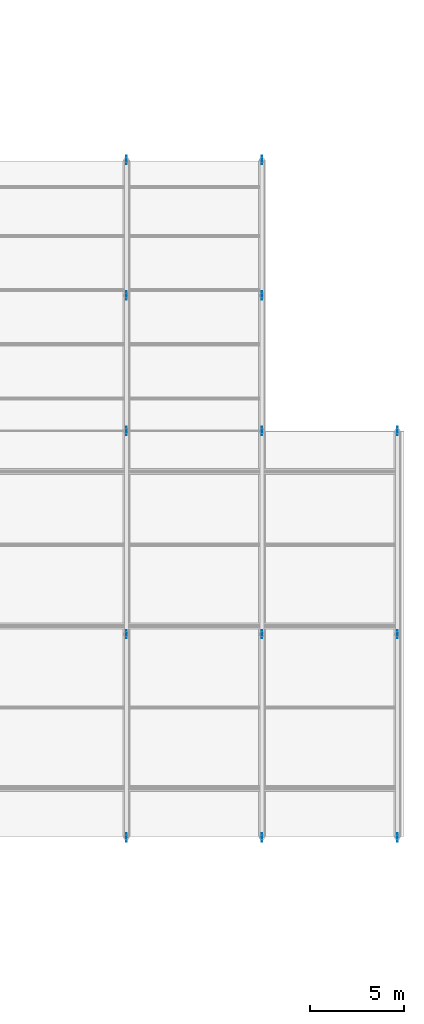
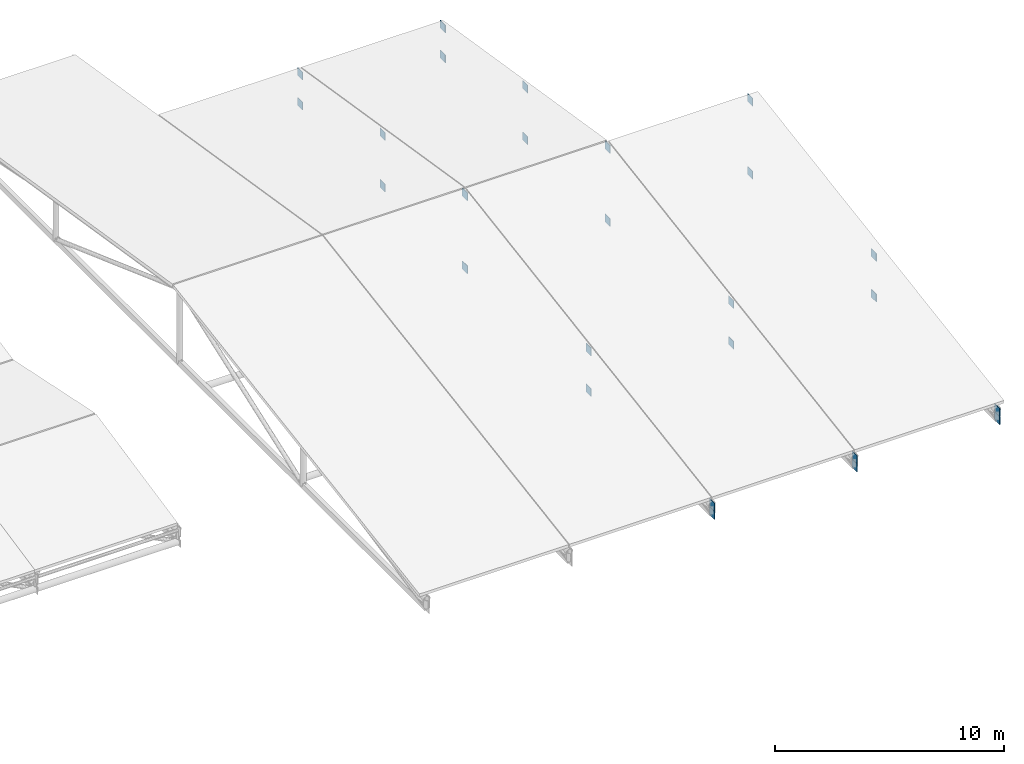
# One storey, part 72 of 72: 26 plates.
"""IFC4 building model written with IfcOpenShell, lengths in metres."""

from ifc_helpers import new_model, si_unit, direction, frame, origin, origin_2d, place, context, subcontext, project, spatial, rectangle, extrude, material, layer, layer_set, type_object, element, save


model = new_model("IFC4")

# Units and contexts
model_context = context("Model", 3, precision=1e-05, world=origin(), true_north=direction((0.0, 1.0)))
body_context = subcontext(model_context, "Body", "Model", "MODEL_VIEW")
ifc_project = project(units=[si_unit("LENGTHUNIT", "METRE"), si_unit("AREAUNIT", "SQUARE_METRE"), si_unit("VOLUMEUNIT", "CUBIC_METRE"), si_unit("PLANEANGLEUNIT", "RADIAN"), si_unit("MASSUNIT", "GRAM", prefix="KILO")], contexts=[model_context])

# Site, building, storey
site_placement = place(None, origin())
site = spatial("IfcSite", under=ifc_project, at=site_placement, CompositionType="ELEMENT")
building_placement = place(site_placement, origin())
building = spatial("IfcBuilding", under=site, at=building_placement, Name="Vaelcorin Mobility Hub", CompositionType="ELEMENT")
storey_placement = place(building_placement, frame((0.0, 0.0, 25.800048828125)))
storey = spatial("IfcBuildingStorey", under=building, at=storey_placement, Name="RF", CompositionType="ELEMENT", Elevation=25.800048828125)

# Plates
ifc_material = material(Name="Steel ASTM A572 Grade 50", Category="steel")
ifc_layer = layer(ifc_material, 0.030029296875)
ifc_layer_set = layer_set([ifc_layer], Name="Steel ASTM A572 Grade 50")
plate_type = type_object("IfcPlateType", Name="PL-TN2", PredefinedType="USERDEFINED", material=ifc_layer_set)
for number, where, z_axis, x_axis, name in (
    (1, (138.0, 76.800048828125, -3.966064453125), (0.0, 0.0, 1.0), (1.0, 0.0, 0.0), "V2E Drum Truss Upper Node 3-0"),
    (2, (138.0, 76.800048828125, -4.409912109375), (0.0, 0.0, 1.0), (1.0, 0.0, 0.0), "V2E Drum Truss Bottom Node 3-0"),
    (3, (138.0, 87.60009765625, -2.238037109375), (0.0, 0.0, 1.0), (1.0, 0.0, 0.0), "V2E Drum Truss Upper Node 3-1"),
    (4, (138.0, 87.60009765625, -4.409912109375), (0.0, 0.0, 1.0), (1.0, 0.0, 0.0), "V2E Drum Truss Bottom Node 3-1"),
    (5, (138.0, 98.39990234375, -0.510009765625), (0.0, 0.0, 1.0), (1.0, 0.0, 0.0), "V2E Drum Truss Upper Node 3-2"),
    (6, (138.0, 98.39990234375, -4.409912109375), (0.0, 0.0, 1.0), (1.0, 0.0, 0.0), "V2E Drum Truss Bottom Node 3-2"),
    (7, (138.0, 105.60009765625, -1.662109375), (0.0, 0.0, 1.0), (1.0, 0.0, 0.0), "V2E Drum Truss Upper Node 3-3"),
    (8, (138.0, 105.60009765625, -4.409912109375), (0.0, 0.0, 1.0), (1.0, 0.0, 0.0), "V2E Drum Truss Bottom Node 3-3"),
    (9, (138.0, 112.800048828125, -2.81396484375), (0.0, 0.0, 1.0), (1.0, 0.0, 0.0), "V2E Drum Truss Upper Node 3-4"),
    (10, (138.0, 112.800048828125, -4.409912109375), (0.0, 0.0, 1.0), (1.0, 0.0, 0.0), "V2E Drum Truss Bottom Node 3-4"),
    (11, (145.199951171875, 76.800048828125, -3.966064453125), (0.0, 0.0, 1.0), (1.0, 0.0, 0.0), "V2E Drum Truss Upper Node 4-0"),
    (12, (145.199951171875, 76.800048828125, -4.409912109375), (0.0, 0.0, 1.0), (1.0, 0.0, 0.0), "V2E Drum Truss Bottom Node 4-0"),
    (13, (145.199951171875, 87.60009765625, -2.238037109375), (0.0, 0.0, 1.0), (1.0, 0.0, 0.0), "V2E Drum Truss Upper Node 4-1"),
    (14, (145.199951171875, 87.60009765625, -4.409912109375), (0.0, 0.0, 1.0), (1.0, 0.0, 0.0), "V2E Drum Truss Bottom Node 4-1"),
    (15, (145.199951171875, 98.39990234375, -0.510009765625), (0.0, 0.0, 1.0), (1.0, 0.0, 0.0), "V2E Drum Truss Upper Node 4-2"),
    (16, (145.199951171875, 98.39990234375, -4.409912109375), (0.0, 0.0, 1.0), (1.0, 0.0, 0.0), "V2E Drum Truss Bottom Node 4-2"),
    (17, (145.199951171875, 105.60009765625, -1.662109375), (0.0, 0.0, 1.0), (1.0, 0.0, 0.0), "V2E Drum Truss Upper Node 4-3"),
    (18, (145.199951171875, 105.60009765625, -4.409912109375), (0.0, 0.0, 1.0), (1.0, 0.0, 0.0), "V2E Drum Truss Bottom Node 4-3"),
    (19, (145.199951171875, 112.800048828125, -2.81396484375), (0.0, 0.0, 1.0), (1.0, 0.0, 0.0), "V2E Drum Truss Upper Node 4-4"),
    (20, (145.199951171875, 112.800048828125, -4.409912109375), (0.0, 0.0, 1.0), (1.0, 0.0, 0.0), "V2E Drum Truss Bottom Node 4-4"),
    (21, (152.39990234375, 76.800048828125, -3.966064453125), (0.0, 0.0, 1.0), (1.0, 0.0, 0.0), "V2E Drum Truss Upper Node 5-0"),
    (22, (152.39990234375, 76.800048828125, -4.409912109375), (0.0, 0.0, 1.0), (1.0, 0.0, 0.0), "V2E Drum Truss Bottom Node 5-0"),
    (23, (152.39990234375, 87.60009765625, -2.238037109375), (0.0, 0.0, 1.0), (1.0, 0.0, 0.0), "V2E Drum Truss Upper Node 5-1"),
    (24, (152.39990234375, 87.60009765625, -4.409912109375), (0.0, 0.0, 1.0), (1.0, 0.0, 0.0), "V2E Drum Truss Bottom Node 5-1"),
    (25, (152.39990234375, 98.39990234375, -0.510009765625), (0.0, 0.0, 1.0), (1.0, 0.0, 0.0), "V2E Drum Truss Upper Node 5-2"),
    (26, (152.39990234375, 98.39990234375, -4.409912109375), (0.0, 0.0, 1.0), (1.0, 0.0, 0.0), "V2E Drum Truss Bottom Node 5-2"),
):
    element("IfcPlate", number, at=place(storey_placement, frame(where, z_axis=z_axis, x_axis=x_axis)), inside=storey, type_object=plate_type, Name=name, ObjectType="GUSSET PLATE", PredefinedType="USERDEFINED", context=body_context, shape_type="SweptSolid", body=[
        extrude(rectangle(XDim=0.030029296875, YDim=0.43994140625, at=origin_2d()), origin(), (0.0, 0.0, 1.0), 0.419921875),
    ])

save(model, "model.ifc")
